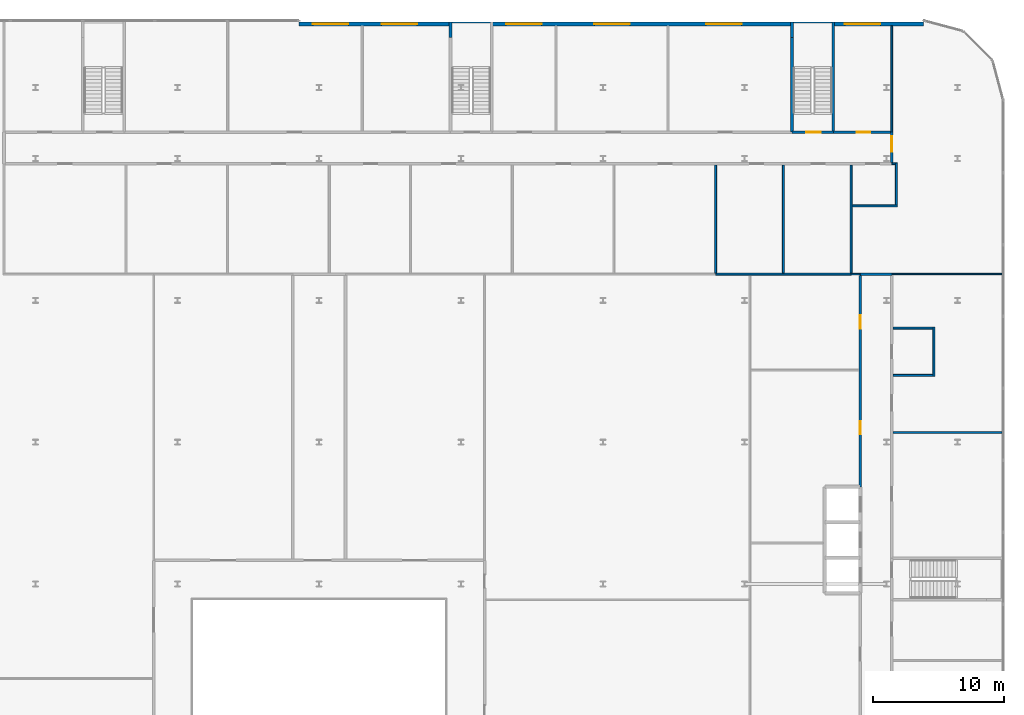
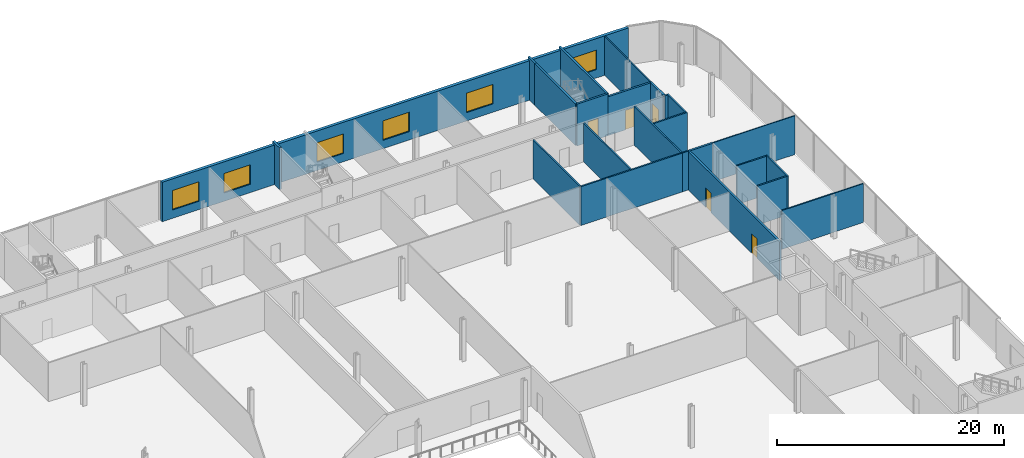
# One storey, part 36 of 47: 24 walls, 6 windows, 5 doors, 11 openings.
"""IFC4 building model written with IfcOpenShell, lengths in metres."""

from ifc_helpers import new_model, si_unit, direction, frame, frame_2d, origin, place, context, subcontext, project, spatial, rectangle, extrude, source, transform, mapped, material, layer, layer_set, type_object, element, fill, save


model = new_model("IFC4")

# Units and contexts
model_context = context("Model", 3, precision=1e-05, world=origin(), true_north=direction((0.0, 1.0)))
body_context = subcontext(model_context, "Body", "Model", "MODEL_VIEW")
ifc_project = project(units=[si_unit("LENGTHUNIT", "METRE"), si_unit("AREAUNIT", "SQUARE_METRE"), si_unit("VOLUMEUNIT", "CUBIC_METRE"), si_unit("PLANEANGLEUNIT", "RADIAN"), si_unit("MASSUNIT", "GRAM", prefix="KILO")], contexts=[model_context])

# Site, building, storey
site_placement = place(None, origin())
site = spatial("IfcSite", under=ifc_project, at=site_placement, CompositionType="ELEMENT")
building_placement = place(site_placement, origin())
building = spatial("IfcBuilding", under=site, at=building_placement, Name="Kheshtan School and Residences Tower", CompositionType="ELEMENT")
storey_placement = place(building_placement, frame((0.0, 0.0, 21.5)))
storey = spatial("IfcBuildingStorey", under=building, at=storey_placement, Name="L04", CompositionType="ELEMENT", Elevation=21.5)

# Walls
ifc_material_1 = material(Name="Gypsum board on steel studs with mineral wool", Category="steel")
ifc_layer_1 = layer(ifc_material_1, 0.125)
ifc_layer_set_1 = layer_set([ifc_layer_1], Name="Acoustic partition 125")
wall_type_1 = type_object("IfcWallType", Name="Acoustic partition 125", PredefinedType="PARTITIONING", material=ifc_layer_set_1)
wall_1_placement = place(storey_placement, frame((120.50390625, 90.800048828125, 0.0), z_axis=(0.0, 0.0, 1.0), x_axis=(1.0, 0.0, 0.0)))
element("IfcWall", 1, at=wall_1_placement, inside=storey, type_object=wall_type_1, Name="Partition L04-076", PredefinedType="PARTITIONING", context=body_context, shape_type="SweptSolid", body=[
    extrude(rectangle(XDim=0.696044921875, YDim=0.125, at=frame_2d((0.34814453125, 0.0))), origin(), (0.0, 0.0, 1.0), 4.179931640625),
])
wall_2_placement = place(storey_placement, frame((123.60009765625, 101.60009765625, 0.0), z_axis=(0.0, 0.0, 1.0), x_axis=(0.0, 1.0, 0.0)))
element("IfcWall", 2, at=wall_2_placement, inside=storey, type_object=wall_type_1, Name="Partition L04-090", PredefinedType="PARTITIONING", context=body_context, shape_type="SweptSolid", body=[
    extrude(rectangle(XDim=8.100830078125, YDim=0.125, at=frame_2d((4.05029296875, 0.0))), origin(), (0.0, 0.0, 1.0), 4.179931640625),
])
wall_3_placement = place(storey_placement, frame((123.699951171875, 78.738037109375, 0.0), z_axis=(0.0, 0.0, 1.0), x_axis=(1.0, 0.0, 0.0)))
element("IfcWall", 3, at=wall_3_placement, inside=storey, type_object=wall_type_1, Name="Partition L04-092", PredefinedType="PARTITIONING", context=body_context, shape_type="SweptSolid", body=[
    extrude(rectangle(XDim=8.300048828125, YDim=0.125, at=frame_2d((4.14990234375, 0.0))), origin(), (0.0, 0.0, 1.0), 4.179931640625),
])

# Wall, opening, door
ifc_material_2 = material(Name="Gypsum board on steel studs with fire boards", Category="steel")
ifc_layer_2 = layer(ifc_material_2, 0.199951171875)
ifc_layer_set_2 = layer_set([ifc_layer_2], Name="Corridor wall 200")
wall_type_2 = type_object("IfcWallType", Name="Corridor wall 200", PredefinedType="PARTITIONING", material=ifc_layer_set_2)
wall_4_placement = place(storey_placement, frame((119.14990234375, 101.60009765625, 0.0), z_axis=(0.0, 0.0, 1.0), x_axis=(1.0, 0.0, 0.0)))
wall_4 = element("IfcWall", 4, at=wall_4_placement, inside=storey, type_object=wall_type_2, Name="Partition L04-075", PredefinedType="PARTITIONING", context=body_context, shape_type="SweptSolid", body=[
    extrude(rectangle(XDim=4.35009765625, YDim=0.199951171875, at=frame_2d((2.175048828125, 0.0))), origin(), (0.0, 0.0, 1.0), 4.179931640625),
])
opening_1_placement = place(wall_4_placement, frame((1.800048828125, 0.0, 0.0)))
opening_1 = element("IfcOpeningElement", 5, at=opening_1_placement, cuts=wall_4, Name="Opening D04-031", PredefinedType="OPENING", context=body_context, shape_type="SweptSolid", body=[
    extrude(rectangle(XDim=1.0, YDim=2.10009765625, at=frame_2d((0.5, 1.050048828125))), frame((0.0, 0.10986328125, 0.0), z_axis=(0.0, -1.0, 0.0), x_axis=(1.0, 0.0, 0.0)), (0.0, 0.0, 1.0), 0.219970703125),
])
ifc_material_3 = material(Name="Steel-framed fire-resisting door leaf", Category="steel")
door_type_1 = type_object("IfcDoorType", Name="Fire door FD60 1000 x 2100", OperationType="SINGLE_SWING_LEFT", PredefinedType="DOOR", material=ifc_material_3)
shared_shape_1 = source(origin(), body_context, "Body", "SweptSolid", [
    extrude(rectangle(XDim=1.0, YDim=2.10009765625, at=frame_2d((0.5, 1.050048828125))), frame((0.0, 0.02490234375, 0.0), z_axis=(0.0, -1.0, 0.0), x_axis=(1.0, 0.0, 0.0)), (0.0, 0.0, 1.0), 0.050048828125),
])
door_1_placement = place(opening_1_placement, origin())
door_1 = element("IfcDoor", 6, at=door_1_placement, inside=storey, type_object=door_type_1, Name="Door D04-031", OperationType="SINGLE_SWING_RIGHT", OverallHeight=2.10009765625, OverallWidth=1.0, PredefinedType="DOOR", context=body_context, shape_type="MappedRepresentation", body=[
    mapped(shared_shape_1, transform((0.0, 0.0, 0.0), x_axis=(1.0, 0.0, 0.0), y_axis=(0.0, 1.0, 0.0), z_axis=(0.0, 0.0, 1.0), scale=1.0)),
])
fill(opening_1, door_1)

# Wall, openings, doors
wall_5_placement = place(storey_placement, frame((121.199951171875, 74.60009765625, 0.0), z_axis=(0.0, 0.0, 1.0), x_axis=(0.0, 1.0, 0.0)))
wall_5 = element("IfcWall", 7, at=wall_5_placement, inside=storey, type_object=wall_type_2, Name="Partition L04-082", PredefinedType="PARTITIONING", context=body_context, shape_type="SweptSolid", body=[
    extrude(rectangle(XDim=16.099853515625, YDim=0.199951171875, at=frame_2d((8.0498046875, 0.0))), origin(), (0.0, 0.0, 1.0), 4.179931640625),
])
opening_2_placement = place(wall_5_placement, frame((3.987060546875, 0.0, 0.0)))
opening_2 = element("IfcOpeningElement", 8, at=opening_2_placement, cuts=wall_5, Name="Opening D04-003", PredefinedType="OPENING", context=body_context, shape_type="SweptSolid", body=[
    extrude(rectangle(XDim=1.0, YDim=2.10009765625, at=frame_2d((0.5, 1.050048828125))), frame((0.0, 0.10986328125, 0.0), z_axis=(0.0, -1.0, 0.0), x_axis=(1.0, 0.0, 0.0)), (0.0, 0.0, 1.0), 0.219970703125),
])
opening_3_placement = place(wall_5_placement, frame((12.050048828125, 0.0, 0.0)))
opening_3 = element("IfcOpeningElement", 9, at=opening_3_placement, cuts=wall_5, Name="Opening D04-004", PredefinedType="OPENING", context=body_context, shape_type="SweptSolid", body=[
    extrude(rectangle(XDim=1.0, YDim=2.10009765625, at=frame_2d((0.5, 1.050048828125))), frame((0.0, 0.10986328125, 0.0), z_axis=(0.0, -1.0, 0.0), x_axis=(1.0, 0.0, 0.0)), (0.0, 0.0, 1.0), 0.219970703125),
])
door_2_placement = place(opening_2_placement, origin())
door_2 = element("IfcDoor", 10, at=door_2_placement, inside=storey, type_object=door_type_1, Name="Door D04-003", OperationType="SINGLE_SWING_LEFT", OverallHeight=2.10009765625, OverallWidth=1.0, PredefinedType="DOOR", context=body_context, shape_type="MappedRepresentation", body=[
    mapped(shared_shape_1, transform((0.0, 0.0, 0.0), x_axis=(1.0, 0.0, 0.0), y_axis=(0.0, 1.0, 0.0), z_axis=(0.0, 0.0, 1.0), scale=1.0)),
])
fill(opening_2, door_2)
door_3_placement = place(opening_3_placement, origin())
door_3 = element("IfcDoor", 11, at=door_3_placement, inside=storey, type_object=door_type_1, Name="Door D04-004", OperationType="SINGLE_SWING_RIGHT", OverallHeight=2.10009765625, OverallWidth=1.0, PredefinedType="DOOR", context=body_context, shape_type="MappedRepresentation", body=[
    mapped(shared_shape_1, transform((0.0, 0.0, 0.0), x_axis=(1.0, 0.0, 0.0), y_axis=(0.0, 1.0, 0.0), z_axis=(0.0, 0.0, 1.0), scale=1.0)),
])
fill(opening_3, door_3)

# Wall
wall_6_placement = place(storey_placement, frame((121.199951171875, 90.800048828125, 0.0), z_axis=(0.0, 0.0, 1.0), x_axis=(1.0, 0.0, 0.0)))
element("IfcWall", 12, at=wall_6_placement, inside=storey, type_object=wall_type_2, Name="Partition L04-083", PredefinedType="PARTITIONING", context=body_context, shape_type="SweptSolid", body=[
    extrude(rectangle(XDim=2.400146484375, YDim=0.199951171875, at=frame_2d((1.2001953125, 0.0))), origin(), (0.0, 0.0, 1.0), 4.179931640625),
])

# Wall, opening, door
wall_7_placement = place(storey_placement, frame((123.60009765625, 99.300048828125, 0.0), z_axis=(0.0, 0.0, 1.0), x_axis=(0.0, 1.0, 0.0)))
wall_7 = element("IfcWall", 13, at=wall_7_placement, inside=storey, type_object=wall_type_2, Name="Partition L04-089", PredefinedType="PARTITIONING", context=body_context, shape_type="SweptSolid", body=[
    extrude(rectangle(XDim=2.300048828125, YDim=0.199951171875, at=frame_2d((1.14990234375, 0.0))), origin(), (0.0, 0.0, 1.0), 4.179931640625),
])
opening_4_placement = place(wall_7_placement, frame((0.800048828125, 0.0, 0.0)))
opening_4 = element("IfcOpeningElement", 14, at=opening_4_placement, cuts=wall_7, Name="Opening D04-015", PredefinedType="OPENING", context=body_context, shape_type="SweptSolid", body=[
    extrude(rectangle(XDim=1.199951171875, YDim=2.10009765625, at=frame_2d((0.60009765625, 1.050048828125))), frame((0.0, 0.10986328125, 0.0), z_axis=(0.0, -1.0, 0.0), x_axis=(1.0, 0.0, 0.0)), (0.0, 0.0, 1.0), 0.219970703125),
])
door_type_2 = type_object("IfcDoorType", Name="Fire door FD60 1200 x 2100", OperationType="SINGLE_SWING_LEFT", PredefinedType="DOOR", material=ifc_material_3)
shared_shape_2 = source(origin(), body_context, "Body", "SweptSolid", [
    extrude(rectangle(XDim=1.199951171875, YDim=2.10009765625, at=frame_2d((0.60009765625, 1.050048828125))), frame((0.0, 0.02490234375, 0.0), z_axis=(0.0, -1.0, 0.0), x_axis=(1.0, 0.0, 0.0)), (0.0, 0.0, 1.0), 0.050048828125),
])
door_4_placement = place(opening_4_placement, origin())
door_4 = element("IfcDoor", 15, at=door_4_placement, inside=storey, type_object=door_type_2, Name="Door D04-015", OperationType="SINGLE_SWING_RIGHT", OverallHeight=2.10009765625, OverallWidth=1.199951171875, PredefinedType="DOOR", context=body_context, shape_type="MappedRepresentation", body=[
    mapped(shared_shape_2, transform((0.0, 0.0, 0.0), x_axis=(1.0, 0.0, 0.0), y_axis=(0.0, 1.0, 0.0), z_axis=(0.0, 0.0, 1.0), scale=1.0)),
])
fill(opening_4, door_4)

# Wall
ifc_material_4 = material(Name="Gypsum board on steel studs", Category="steel")
ifc_layer_3 = layer(ifc_material_4, 0.10009765625)
ifc_layer_set_3 = layer_set([ifc_layer_3], Name="Gypsum partition 100")
wall_type_3 = type_object("IfcWallType", Name="Gypsum partition 100", PredefinedType="PARTITIONING", material=ifc_layer_set_3)
wall_8_placement = place(storey_placement, frame((123.60009765625, 90.800048828125, 0.0), z_axis=(0.0, 0.0, 1.0), x_axis=(1.0, 0.0, 0.0)))
element("IfcWall", 16, at=wall_8_placement, inside=storey, type_object=wall_type_3, Name="Partition L04-087", PredefinedType="PARTITIONING", context=body_context, shape_type="SweptSolid", body=[
    extrude(rectangle(XDim=8.39990234375, YDim=0.10009765625, at=frame_2d((4.199951171875, 0.0))), origin(), (0.0, 0.0, 1.0), 4.179931640625),
])

# Wall, openings, windows
ifc_material_5 = material(Name="Concrete C40/50 with ceramic cladding and mineral wool insulation", Category="concrete")
ifc_layer_4 = layer(ifc_material_5, 0.300048828125)
ifc_layer_set_4 = layer_set([ifc_layer_4], Name="Podium external wall 300")
wall_type_4 = type_object("IfcWallType", Name="Podium external wall 300", PredefinedType="SOLIDWALL", material=ifc_layer_set_4)
wall_9_placement = place(storey_placement, frame((78.47998046875, 109.85009765625, 0.0), z_axis=(0.0, 0.0, 1.0), x_axis=(1.0, 0.0, 0.0)))
wall_9 = element("IfcWall", 17, at=wall_9_placement, inside=storey, type_object=wall_type_4, Name="Podium external wall L04 4.1", PredefinedType="SOLIDWALL", context=body_context, shape_type="SweptSolid", body=[
    extrude(rectangle(XDim=47.52001953125, YDim=0.300048828125, at=frame_2d((23.760009765625, 0.0))), origin(), (0.0, 0.0, 1.0), 4.25),
])
opening_5_placement = place(wall_9_placement, frame((1.044921875, 0.0, 0.89990234375)))
opening_5 = element("IfcOpeningElement", 18, at=opening_5_placement, cuts=wall_9, Name="Opening WN-D", PredefinedType="OPENING", context=body_context, shape_type="SweptSolid", body=[
    extrude(rectangle(XDim=2.699951171875, YDim=2.10009765625, at=frame_2d((1.35009765625, 1.050048828125))), frame((0.0, 0.16015625, 0.0), z_axis=(0.0, -1.0, 0.0), x_axis=(1.0, 0.0, 0.0)), (0.0, 0.0, 1.0), 0.320068359375),
])
opening_6_placement = place(wall_9_placement, frame((6.280029296875, 0.0, 0.89990234375)))
opening_6 = element("IfcOpeningElement", 19, at=opening_6_placement, cuts=wall_9, Name="Opening WN-D", PredefinedType="OPENING", context=body_context, shape_type="SweptSolid", body=[
    extrude(rectangle(XDim=2.699951171875, YDim=2.10009765625, at=frame_2d((1.35009765625, 1.050048828125))), frame((0.0, 0.16015625, 0.0), z_axis=(0.0, -1.0, 0.0), x_axis=(1.0, 0.0, 0.0)), (0.0, 0.0, 1.0), 0.320068359375),
])
opening_7_placement = place(wall_9_placement, frame((15.764892578125, 0.0, 0.89990234375)))
opening_7 = element("IfcOpeningElement", 20, at=opening_7_placement, cuts=wall_9, Name="Opening WN-D", PredefinedType="OPENING", context=body_context, shape_type="SweptSolid", body=[
    extrude(rectangle(XDim=2.699951171875, YDim=2.10009765625, at=frame_2d((1.35009765625, 1.050048828125))), frame((0.0, 0.16015625, 0.0), z_axis=(0.0, -1.0, 0.0), x_axis=(1.0, 0.0, 0.0)), (0.0, 0.0, 1.0), 0.320068359375),
])
opening_8_placement = place(wall_9_placement, frame((22.469970703125, 0.0, 0.89990234375)))
opening_8 = element("IfcOpeningElement", 21, at=opening_8_placement, cuts=wall_9, Name="Opening WN-D", PredefinedType="OPENING", context=body_context, shape_type="SweptSolid", body=[
    extrude(rectangle(XDim=2.699951171875, YDim=2.10009765625, at=frame_2d((1.35009765625, 1.050048828125))), frame((0.0, 0.16015625, 0.0), z_axis=(0.0, -1.0, 0.0), x_axis=(1.0, 0.0, 0.0)), (0.0, 0.0, 1.0), 0.320068359375),
])
opening_9_placement = place(wall_9_placement, frame((30.989990234375, 0.0, 0.89990234375)))
opening_9 = element("IfcOpeningElement", 22, at=opening_9_placement, cuts=wall_9, Name="Opening WN-D", PredefinedType="OPENING", context=body_context, shape_type="SweptSolid", body=[
    extrude(rectangle(XDim=2.699951171875, YDim=2.10009765625, at=frame_2d((1.35009765625, 1.050048828125))), frame((0.0, 0.16015625, 0.0), z_axis=(0.0, -1.0, 0.0), x_axis=(1.0, 0.0, 0.0)), (0.0, 0.0, 1.0), 0.320068359375),
])
opening_10_placement = place(wall_9_placement, frame((41.544921875, 0.0, 0.89990234375)))
opening_10 = element("IfcOpeningElement", 23, at=opening_10_placement, cuts=wall_9, Name="Opening WN-D", PredefinedType="OPENING", context=body_context, shape_type="SweptSolid", body=[
    extrude(rectangle(XDim=2.699951171875, YDim=2.10009765625, at=frame_2d((1.35009765625, 1.050048828125))), frame((0.0, 0.16015625, 0.0), z_axis=(0.0, -1.0, 0.0), x_axis=(1.0, 0.0, 0.0)), (0.0, 0.0, 1.0), 0.320068359375),
])
ifc_material_6 = material(Name="Clear low-e glass in thermally broken aluminium frame", Category="aluminium")
window_type = type_object("IfcWindowType", Name="Window WN-D", PartitioningType="SINGLE_PANEL", PredefinedType="WINDOW", material=ifc_material_6)
shared_shape_3 = source(origin(), body_context, "Body", "SweptSolid", [
    extrude(rectangle(XDim=2.699951171875, YDim=2.10009765625, at=frame_2d((1.35009765625, 1.050048828125))), frame((0.0, 0.030029296875, 0.0), z_axis=(0.0, -1.0, 0.0), x_axis=(1.0, 0.0, 0.0)), (0.0, 0.0, 1.0), 0.06005859375),
])
window_1_placement = place(opening_5_placement, origin())
window_1 = element("IfcWindow", 24, at=window_1_placement, inside=storey, type_object=window_type, Name="Window L04 4.1.1", OverallHeight=2.10009765625, OverallWidth=2.699951171875, PartitioningType="SINGLE_PANEL", PredefinedType="WINDOW", context=body_context, shape_type="MappedRepresentation", body=[
    mapped(shared_shape_3, transform((0.0, 0.0, 0.0), x_axis=(1.0, 0.0, 0.0), y_axis=(0.0, 1.0, 0.0), z_axis=(0.0, 0.0, 1.0), scale=1.0)),
])
fill(opening_5, window_1)
window_2_placement = place(opening_6_placement, origin())
window_2 = element("IfcWindow", 25, at=window_2_placement, inside=storey, type_object=window_type, Name="Window L04 4.1.2", OverallHeight=2.10009765625, OverallWidth=2.699951171875, PartitioningType="SINGLE_PANEL", PredefinedType="WINDOW", context=body_context, shape_type="MappedRepresentation", body=[
    mapped(shared_shape_3, transform((0.0, 0.0, 0.0), x_axis=(1.0, 0.0, 0.0), y_axis=(0.0, 1.0, 0.0), z_axis=(0.0, 0.0, 1.0), scale=1.0)),
])
fill(opening_6, window_2)
window_3_placement = place(opening_7_placement, origin())
window_3 = element("IfcWindow", 26, at=window_3_placement, inside=storey, type_object=window_type, Name="Window L04 4.1.3", OverallHeight=2.10009765625, OverallWidth=2.699951171875, PartitioningType="SINGLE_PANEL", PredefinedType="WINDOW", context=body_context, shape_type="MappedRepresentation", body=[
    mapped(shared_shape_3, transform((0.0, 0.0, 0.0), x_axis=(1.0, 0.0, 0.0), y_axis=(0.0, 1.0, 0.0), z_axis=(0.0, 0.0, 1.0), scale=1.0)),
])
fill(opening_7, window_3)
window_4_placement = place(opening_8_placement, origin())
window_4 = element("IfcWindow", 27, at=window_4_placement, inside=storey, type_object=window_type, Name="Window L04 4.1.4", OverallHeight=2.10009765625, OverallWidth=2.699951171875, PartitioningType="SINGLE_PANEL", PredefinedType="WINDOW", context=body_context, shape_type="MappedRepresentation", body=[
    mapped(shared_shape_3, transform((0.0, 0.0, 0.0), x_axis=(1.0, 0.0, 0.0), y_axis=(0.0, 1.0, 0.0), z_axis=(0.0, 0.0, 1.0), scale=1.0)),
])
fill(opening_8, window_4)
window_5_placement = place(opening_9_placement, origin())
window_5 = element("IfcWindow", 28, at=window_5_placement, inside=storey, type_object=window_type, Name="Window L04 4.1.5", OverallHeight=2.10009765625, OverallWidth=2.699951171875, PartitioningType="SINGLE_PANEL", PredefinedType="WINDOW", context=body_context, shape_type="MappedRepresentation", body=[
    mapped(shared_shape_3, transform((0.0, 0.0, 0.0), x_axis=(1.0, 0.0, 0.0), y_axis=(0.0, 1.0, 0.0), z_axis=(0.0, 0.0, 1.0), scale=1.0)),
])
fill(opening_9, window_5)
window_6_placement = place(opening_10_placement, origin())
window_6 = element("IfcWindow", 29, at=window_6_placement, inside=storey, type_object=window_type, Name="Window L04 4.1.6", OverallHeight=2.10009765625, OverallWidth=2.699951171875, PartitioningType="SINGLE_PANEL", PredefinedType="WINDOW", context=body_context, shape_type="MappedRepresentation", body=[
    mapped(shared_shape_3, transform((0.0, 0.0, 0.0), x_axis=(1.0, 0.0, 0.0), y_axis=(0.0, 1.0, 0.0), z_axis=(0.0, 0.0, 1.0), scale=1.0)),
])
fill(opening_10, window_6)

# Wall
ifc_material_7 = material(Name="Concrete C40/50", Category="concrete")
ifc_layer_5 = layer(ifc_material_7, 0.199951171875)
ifc_layer_set_5 = layer_set([ifc_layer_5], Name="Stair enclosure wall 200 Concrete C40/50")
wall_type_5 = type_object("IfcWallType", Name="Stair enclosure wall 200 Concrete C40/50", PredefinedType="SHEAR", material=ifc_layer_set_5)
wall_10_placement = place(storey_placement, frame((90.0, 108.800048828125, 0.0), z_axis=(0.0, 0.0, 1.0), x_axis=(0.0, 1.0, 0.0)))
element("IfcWall", 30, at=wall_10_placement, inside=storey, type_object=wall_type_5, Name="Stair enclosure wall", PredefinedType="SHEAR", context=body_context, shape_type="SweptSolid", body=[
    extrude(rectangle(XDim=1.199951171875, YDim=0.199951171875, at=frame_2d((0.60009765625, 0.0))), origin(), (0.0, 0.0, 1.0), 4.5),
])

# Wall, opening, door
wall_11_placement = place(storey_placement, frame((116.0, 101.60009765625, 0.0), z_axis=(0.0, 0.0, 1.0), x_axis=(1.0, 0.0, 0.0)))
wall_11 = element("IfcWall", 31, at=wall_11_placement, inside=storey, type_object=wall_type_5, Name="Stair enclosure wall", PredefinedType="SHEAR", context=body_context, shape_type="SweptSolid", body=[
    extrude(rectangle(XDim=3.14990234375, YDim=0.199951171875, at=frame_2d((1.574951171875, 0.0))), origin(), (0.0, 0.0, 1.0), 4.5),
])
opening_11_placement = place(wall_11_placement, frame((1.10009765625, 0.0, 0.0)))
opening_11 = element("IfcOpeningElement", 32, at=opening_11_placement, cuts=wall_11, Name="Opening SD90", PredefinedType="OPENING", context=body_context, shape_type="SweptSolid", body=[
    extrude(rectangle(XDim=1.10009765625, YDim=2.199951171875, at=frame_2d((0.550048828125, 1.10009765625))), frame((0.0, 0.10986328125, 0.0), z_axis=(0.0, -1.0, 0.0), x_axis=(1.0, 0.0, 0.0)), (0.0, 0.0, 1.0), 0.219970703125),
])
ifc_material_8 = material(Name="Steel door leaf, galvanised", Category="steel")
door_type_3 = type_object("IfcDoorType", Name="Stair door 1100 steel 90 min", OperationType="SINGLE_SWING_LEFT", PredefinedType="DOOR", material=ifc_material_8)
shared_shape_4 = source(origin(), body_context, "Body", "SweptSolid", [
    extrude(rectangle(XDim=1.10009765625, YDim=2.199951171875, at=frame_2d((0.550048828125, 1.10009765625))), frame((0.0, 0.02490234375, 0.0), z_axis=(0.0, -1.0, 0.0), x_axis=(1.0, 0.0, 0.0)), (0.0, 0.0, 1.0), 0.050048828125),
])
door_5_placement = place(opening_11_placement, origin())
door_5 = element("IfcDoor", 33, at=door_5_placement, inside=storey, type_object=door_type_3, Name="Stair door", OperationType="SINGLE_SWING_RIGHT", OverallHeight=2.199951171875, OverallWidth=1.10009765625, PredefinedType="DOOR", context=body_context, shape_type="MappedRepresentation", body=[
    mapped(shared_shape_4, transform((0.0, 0.0, 0.0), x_axis=(1.0, 0.0, 0.0), y_axis=(0.0, 1.0, 0.0), z_axis=(0.0, 0.0, 1.0), scale=1.0)),
])
fill(opening_11, door_5)

# Walls
wall_12_placement = place(storey_placement, frame((116.0, 101.60009765625, 0.0), z_axis=(0.0, 0.0, 1.0), x_axis=(0.0, 1.0, 0.0)))
element("IfcWall", 34, at=wall_12_placement, inside=storey, type_object=wall_type_5, Name="Stair enclosure wall", PredefinedType="SHEAR", context=body_context, shape_type="SweptSolid", body=[
    extrude(rectangle(XDim=7.199951171875, YDim=0.199951171875, at=frame_2d((3.60009765625, 0.0))), origin(), (0.0, 0.0, 1.0), 4.5),
])
wall_13_placement = place(storey_placement, frame((116.0, 108.800048828125, 0.0), z_axis=(0.0, 0.0, 1.0), x_axis=(0.0, 1.0, 0.0)))
element("IfcWall", 35, at=wall_13_placement, inside=storey, type_object=wall_type_5, Name="Stair enclosure wall", PredefinedType="SHEAR", context=body_context, shape_type="SweptSolid", body=[
    extrude(rectangle(XDim=1.199951171875, YDim=0.199951171875, at=frame_2d((0.60009765625, 0.0))), origin(), (0.0, 0.0, 1.0), 4.5),
])
wall_14_placement = place(storey_placement, frame((119.14990234375, 101.60009765625, 0.0), z_axis=(0.0, 0.0, 1.0), x_axis=(0.0, 1.0, 0.0)))
element("IfcWall", 36, at=wall_14_placement, inside=storey, type_object=wall_type_5, Name="Stair enclosure wall", PredefinedType="SHEAR", context=body_context, shape_type="SweptSolid", body=[
    extrude(rectangle(XDim=8.39990234375, YDim=0.199951171875, at=frame_2d((4.199951171875, 0.0))), origin(), (0.0, 0.0, 1.0), 4.5),
])
ifc_material_9 = material(Name="Moisture-resistant gypsum board on steel studs", Category="steel")
ifc_layer_6 = layer(ifc_material_9, 0.14990234375)
ifc_layer_set_6 = layer_set([ifc_layer_6], Name="Wet-room partition 150")
wall_type_6 = type_object("IfcWallType", Name="Wet-room partition 150", PredefinedType="PARTITIONING", material=ifc_layer_set_6)
wall_15_placement = place(storey_placement, frame((110.18310546875, 90.800048828125, 0.0), z_axis=(0.0, 0.0, 1.0), x_axis=(1.0, 0.0, 0.0)))
element("IfcWall", 37, at=wall_15_placement, inside=storey, type_object=wall_type_6, Name="Partition L04-066", PredefinedType="PARTITIONING", context=body_context, shape_type="SweptSolid", body=[
    extrude(rectangle(XDim=10.32080078125, YDim=0.14990234375, at=frame_2d((5.160400390625, 0.0))), origin(), (0.0, 0.0, 1.0), 4.179931640625),
])
for number, where, z_axis, x_axis, name in (
    (38, (110.18310546875, 90.875, 0.0), (0.0, 0.0, 1.0), (0.0, 1.0, 0.0), "Partition L04-067"),
    (39, (115.343994140625, 90.875, 0.0), (0.0, 0.0, 1.0), (0.0, 1.0, 0.0), "Partition L04-073"),
    (40, (120.50390625, 90.875, 0.0), (0.0, 0.0, 1.0), (0.0, 1.0, 0.0), "Partition L04-077"),
):
    element("IfcWall", number, at=place(storey_placement, frame(where, z_axis=z_axis, x_axis=x_axis)), inside=storey, type_object=wall_type_6, Name=name, PredefinedType="PARTITIONING", context=body_context, shape_type="SweptSolid", body=[
        extrude(rectangle(XDim=8.22509765625, YDim=0.14990234375, at=frame_2d((4.112548828125, 0.0))), origin(), (0.0, 0.0, 1.0), 4.179931640625),
    ])
wall_16_placement = place(storey_placement, frame((120.5791015625, 96.0, 0.0), z_axis=(0.0, 0.0, 1.0), x_axis=(1.0, 0.0, 0.0)))
element("IfcWall", 41, at=wall_16_placement, inside=storey, type_object=wall_type_6, Name="Partition L04-078", PredefinedType="PARTITIONING", context=body_context, shape_type="SweptSolid", body=[
    extrude(rectangle(XDim=3.449951171875, YDim=0.14990234375, at=frame_2d((1.72509765625, 0.0))), origin(), (0.0, 0.0, 1.0), 4.179931640625),
])
wall_17_placement = place(storey_placement, frame((123.60009765625, 99.199951171875, 0.0), z_axis=(0.0, 0.0, 1.0), x_axis=(1.0, 0.0, 0.0)))
element("IfcWall", 42, at=wall_17_placement, inside=storey, type_object=wall_type_6, Name="Partition L04-088", PredefinedType="PARTITIONING", context=body_context, shape_type="SweptSolid", body=[
    extrude(rectangle(XDim=0.27880859375, YDim=0.14990234375, at=frame_2d((0.139404296875, 0.0))), origin(), (0.0, 0.0, 1.0), 4.179931640625),
])
for number, where, z_axis, x_axis, name in (
    (43, (123.699951171875, 83.087890625, 0.0), (0.0, 0.0, 1.0), (1.0, 0.0, 0.0), "Partition L04-093"),
    (44, (123.699951171875, 86.68798828125, 0.0), (0.0, 0.0, 1.0), (1.0, 0.0, 0.0), "Partition L04-094"),
):
    element("IfcWall", number, at=place(storey_placement, frame(where, z_axis=z_axis, x_axis=x_axis)), inside=storey, type_object=wall_type_6, Name=name, PredefinedType="PARTITIONING", context=body_context, shape_type="SweptSolid", body=[
        extrude(rectangle(XDim=3.025146484375, YDim=0.14990234375, at=frame_2d((1.5126953125, 0.0))), origin(), (0.0, 0.0, 1.0), 4.179931640625),
    ])
wall_18_placement = place(storey_placement, frame((123.9541015625, 96.074951171875, 0.0), z_axis=(0.0, 0.0, 1.0), x_axis=(0.0, 1.0, 0.0)))
element("IfcWall", 45, at=wall_18_placement, inside=storey, type_object=wall_type_6, Name="Partition L04-095", PredefinedType="PARTITIONING", context=body_context, shape_type="SweptSolid", body=[
    extrude(rectangle(XDim=3.199951171875, YDim=0.14990234375, at=frame_2d((1.60009765625, 0.0))), origin(), (0.0, 0.0, 1.0), 4.179931640625),
])
wall_19_placement = place(storey_placement, frame((126.800048828125, 83.012939453125, 0.0), z_axis=(0.0, 0.0, 1.0), x_axis=(0.0, 1.0, 0.0)))
element("IfcWall", 46, at=wall_19_placement, inside=storey, type_object=wall_type_6, Name="Partition L04-096", PredefinedType="PARTITIONING", context=body_context, shape_type="SweptSolid", body=[
    extrude(rectangle(XDim=3.75, YDim=0.14990234375, at=frame_2d((1.875, 0.0))), origin(), (0.0, 0.0, 1.0), 4.179931640625),
])

save(model, "model.ifc")
